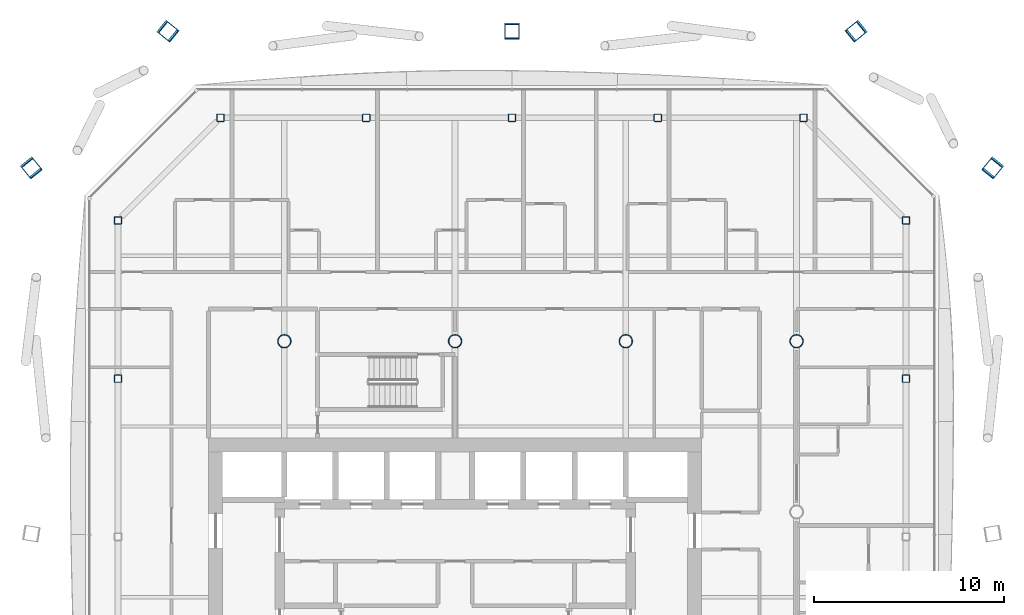
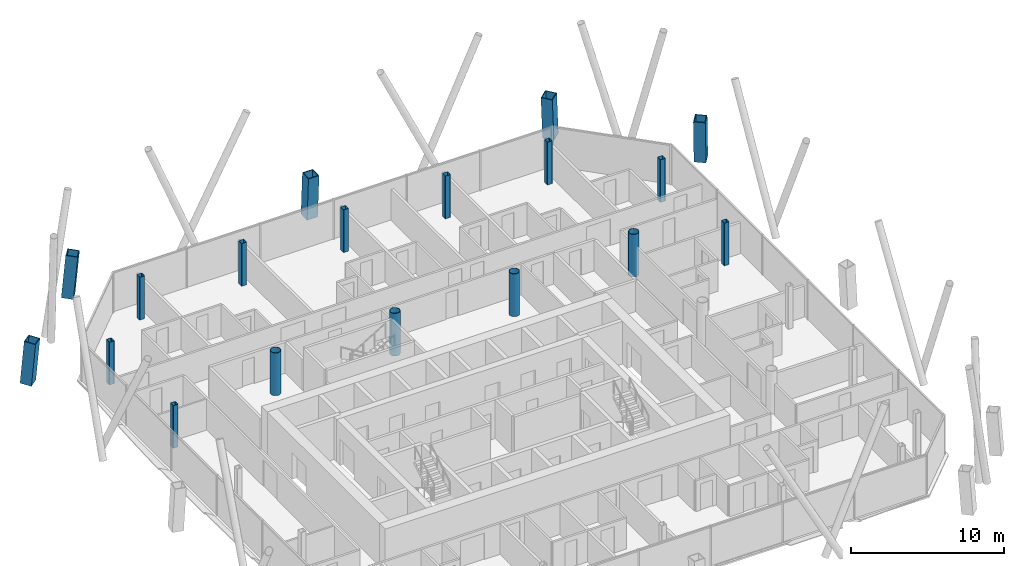
# One storey, part 2 of 23: 18 columns.
"""IFC4 building model written with IfcOpenShell, lengths in metres."""

from ifc_helpers import new_model, si_unit, direction, frame, origin, origin_2d, place, context, subcontext, project, spatial, hollow_rectangle, hollow_circle, extrude, material, material_profile, profile_set, type_object, element, save


model = new_model("IFC4")

# Units and contexts
model_context = context("Model", 3, precision=1e-05, world=origin(), true_north=direction((0.0, 1.0)))
body_context = subcontext(model_context, "Body", "Model", "MODEL_VIEW")
ifc_project = project(units=[si_unit("LENGTHUNIT", "METRE"), si_unit("AREAUNIT", "SQUARE_METRE"), si_unit("VOLUMEUNIT", "CUBIC_METRE"), si_unit("PLANEANGLEUNIT", "RADIAN"), si_unit("MASSUNIT", "GRAM", prefix="KILO")], contexts=[model_context])

# Site, building, storey
site_placement = place(None, origin())
site = spatial("IfcSite", under=ifc_project, at=site_placement, CompositionType="ELEMENT")
building_placement = place(site_placement, origin())
building = spatial("IfcBuilding", under=site, at=building_placement, Name="Tskaro Facet Tower", CompositionType="ELEMENT")
storey_placement = place(building_placement, frame((0.0, 0.0, 141.89990234375)))
storey = spatial("IfcBuildingStorey", under=building, at=storey_placement, Name="L34", CompositionType="ELEMENT", Elevation=141.89990234375)

# Columns
ifc_material_1 = material(Name="Steel S460M", Category="steel")
ifc_material_profile_1 = material_profile(ifc_material_1, hollow_rectangle(XDim=0.800048828125, YDim=0.800048828125, WallThickness=0.050048828125, at=origin_2d()), Name="BOX 800x800x50")
ifc_profile_set_1 = profile_set([ifc_material_profile_1], Name="Steel S460M")
column_type_1 = type_object("IfcColumnType", Name="BOX 800x800x50 mega column", PredefinedType="COLUMN", material=ifc_profile_set_1)
for number, where, z_axis, x_axis, name in (
    (1, (28.3720703125, 18.178955078125, 0.0), (-0.053655161878, -0.066532400729, 0.996340585973), (0.778413039475, -0.62775245119, 0.0), "BOX 800x800x50 MC06/3"),
    (2, (21.178955078125, 25.3720703125, 0.0), (-0.066532400729, -0.053655161878, 0.996340585973), (0.62775245119, -0.778413039475, 0.0), "BOX 800x800x50 MC07/3"),
):
    element("IfcColumn", number, at=place(storey_placement, frame(where, z_axis=z_axis, x_axis=x_axis)), inside=storey, type_object=column_type_1, Name=name, PredefinedType="COLUMN", context=body_context, shape_type="SweptSolid", body=[
        extrude(hollow_rectangle(XDim=0.800048828125, YDim=0.800048828125, WallThickness=0.050048828125, at=origin_2d()), origin(), (0.0, 0.0, 1.0), 3.41259765625),
    ])
column_placement = place(storey_placement, frame((3.0, 25.3720703125, 0.0), z_axis=(0.0, -0.053774311498, 0.998553114973), x_axis=(1.0, 0.0, 0.0)))
element("IfcColumn", 3, at=column_placement, inside=storey, type_object=column_type_1, Name="BOX 800x800x50 MC08/3", PredefinedType="COLUMN", context=body_context, shape_type="SweptSolid", body=[
    extrude(hollow_rectangle(XDim=0.800048828125, YDim=0.800048828125, WallThickness=0.050048828125, at=origin_2d()), origin(), (0.0, 0.0, 1.0), 3.405029296875),
])
for number, where, z_axis, x_axis, name in (
    (4, (-15.178955078125, 25.3720703125, 0.0), (0.066532400729, -0.053655161878, 0.996340585973), (0.62775245119, 0.778413039475, 0.0), "BOX 800x800x50 MC09/3"),
    (5, (-22.3720703125, 18.178955078125, 0.0), (0.053655161878, -0.066532400729, 0.996340585973), (0.778413039475, 0.62775245119, 0.0), "BOX 800x800x50 MC10/3"),
):
    element("IfcColumn", number, at=place(storey_placement, frame(where, z_axis=z_axis, x_axis=x_axis)), inside=storey, type_object=column_type_1, Name=name, PredefinedType="COLUMN", context=body_context, shape_type="SweptSolid", body=[
        extrude(hollow_rectangle(XDim=0.800048828125, YDim=0.800048828125, WallThickness=0.050048828125, at=origin_2d()), origin(), (0.0, 0.0, 1.0), 3.41259765625),
    ])
ifc_material_2 = material(Name="Steel S355J2H", Category="steel")
ifc_material_profile_2 = material_profile(ifc_material_2, hollow_circle(Radius=0.35546875, WallThickness=0.031982421875, at=origin_2d()), Name="CHS 711x32")
ifc_profile_set_2 = profile_set([ifc_material_profile_2], Name="Steel S355J2H")
column_type_2 = type_object("IfcColumnType", Name="CHS 711x32 interior column", PredefinedType="COLUMN", material=ifc_profile_set_2)
for number, where, z_axis, x_axis, name in (
    (6, (-9.0, 9.0, 0.0), (0.0, 0.0, 1.0), (1.0, 0.0, 0.0), "CHS 711x32 C3E/3"),
    (7, (0.0, 9.0, 0.0), (0.0, 0.0, 1.0), (1.0, 0.0, 0.0), "CHS 711x32 C4E/3"),
    (8, (9.0, 9.0, 0.0), (0.0, 0.0, 1.0), (1.0, 0.0, 0.0), "CHS 711x32 C5E/3"),
    (9, (18.0, 9.0, 0.0), (0.0, 0.0, 1.0), (1.0, 0.0, 0.0), "CHS 711x32 C6E/3"),
):
    element("IfcColumn", number, at=place(storey_placement, frame(where, z_axis=z_axis, x_axis=x_axis)), inside=storey, type_object=column_type_2, Name=name, PredefinedType="COLUMN", context=body_context, shape_type="SweptSolid", body=[
        extrude(hollow_circle(Radius=0.35546875, WallThickness=0.031982421875, at=origin_2d()), origin(), (0.0, 0.0, 1.0), 3.400146484375),
    ])
ifc_material_profile_3 = material_profile(ifc_material_2, hollow_rectangle(XDim=0.39990234375, YDim=0.39990234375, WallThickness=0.02001953125, InnerFilletRadius=0.030029296875, OuterFilletRadius=0.050048828125, at=origin_2d()), Name="SHS 400x400x20")
ifc_profile_set_3 = profile_set([ifc_material_profile_3], Name="Steel S355J2H")
column_type_3 = type_object("IfcColumnType", Name="SHS 400x400x20 ring column", PredefinedType="COLUMN", material=ifc_profile_set_3)
for number, where, z_axis, x_axis, name in (
    (10, (23.77392578125, 7.02587890625, 0.0), (0.0, 0.0, 1.0), (1.0, 0.0, 0.0), "SHS 400x400x20 RE-4/3"),
    (11, (23.77392578125, 15.367919921875, 0.0), (0.0, 0.0, 1.0), (1.0, 0.0, 0.0), "SHS 400x400x20 RNE-1/3"),
    (12, (18.367919921875, 20.77392578125, 0.0), (0.0, 0.0, 1.0), (1.0, 0.0, 0.0), "SHS 400x400x20 RN-1/3"),
    (13, (10.68408203125, 20.77392578125, 0.0), (0.0, 0.0, 1.0), (1.0, 0.0, 0.0), "SHS 400x400x20 RN-2/3"),
    (14, (3.0, 20.77392578125, 0.0), (0.0, 0.0, 1.0), (1.0, 0.0, 0.0), "SHS 400x400x20 RN-3/3"),
    (15, (-4.68408203125, 20.77392578125, 0.0), (0.0, 0.0, 1.0), (1.0, 0.0, 0.0), "SHS 400x400x20 RN-4/3"),
    (16, (-12.367919921875, 20.77392578125, 0.0), (0.0, 0.0, 1.0), (1.0, 0.0, 0.0), "SHS 400x400x20 RNW-1/3"),
    (17, (-17.77392578125, 15.367919921875, 0.0), (0.0, 0.0, 1.0), (1.0, 0.0, 0.0), "SHS 400x400x20 RW-1/3"),
    (18, (-17.77392578125, 7.02587890625, 0.0), (0.0, 0.0, 1.0), (1.0, 0.0, 0.0), "SHS 400x400x20 RW-2/3"),
):
    element("IfcColumn", number, at=place(storey_placement, frame(where, z_axis=z_axis, x_axis=x_axis)), inside=storey, type_object=column_type_3, Name=name, PredefinedType="COLUMN", context=body_context, shape_type="SweptSolid", body=[
        extrude(hollow_rectangle(XDim=0.39990234375, YDim=0.39990234375, WallThickness=0.02001953125, InnerFilletRadius=0.030029296875, OuterFilletRadius=0.050048828125, at=origin_2d()), origin(), (0.0, 0.0, 1.0), 3.400146484375),
    ])

save(model, "model.ifc")
